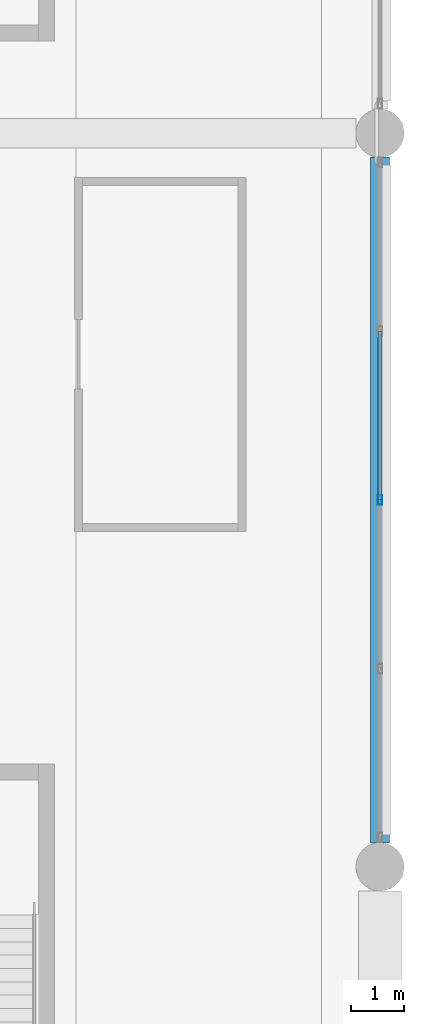
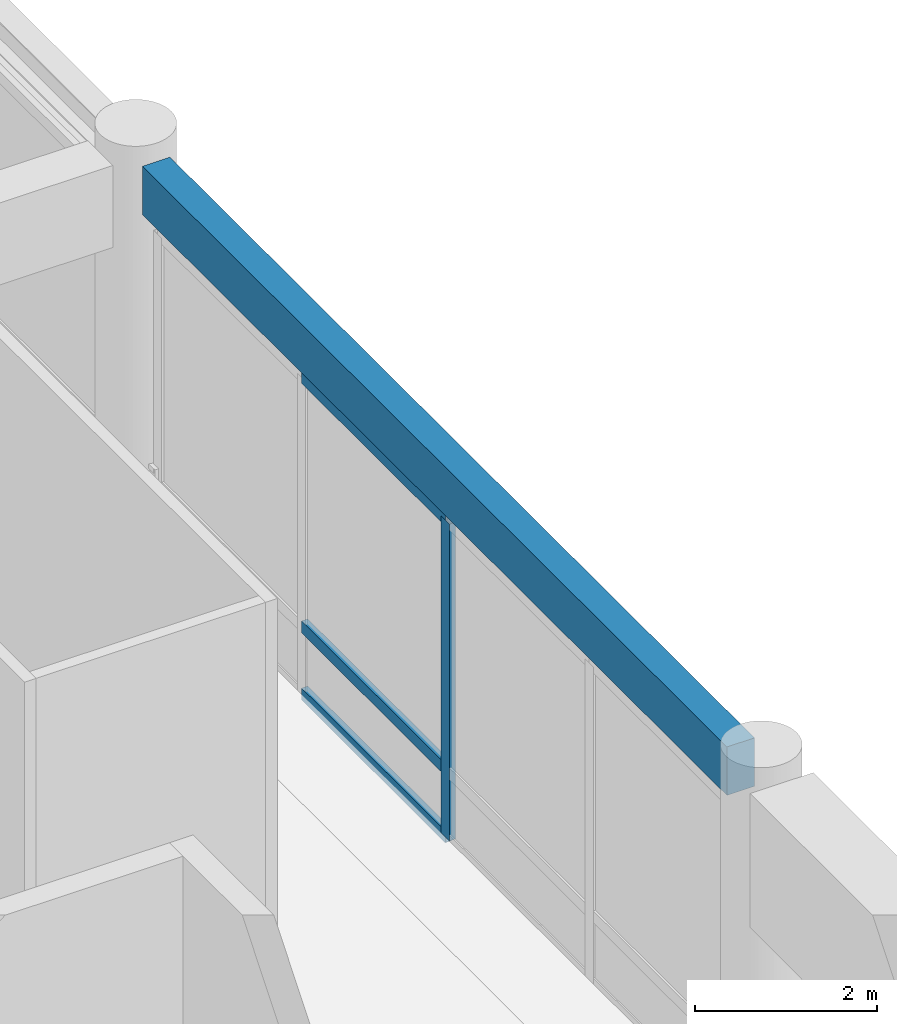
# One storey, part 56 of 117: 4 members, 1 beam, 1 element without a shape of its own.
"""IFC4 building model written with IfcOpenShell, lengths in metres."""

import ifcopenshell
import ifcopenshell.guid

model = None  # the IFC model being written
_history = None  # IfcOwnerHistory: only IFC2X3 demands one
_inside = {}  # id of a spatial element -> (the spatial element, [elements in it])
_under = {}  # id of a project, library or spatial element -> (it, [spatial elements below it])
_declared = {}  # id of a project -> (the project, [libraries it declares])
_typed = {}  # id of a type object -> (the type object, [elements of that type])
_made_of = {}  # id of a material, layer set ... -> (it, [elements and type objects made of it])


def new_model(schema):
    """Start an empty IFC model of exactly this schema.

    Asked for "IFC4X3", IfcOpenShell would pick the latest addendum, in which some entities
    have other attributes; the version numbers below select the first issue.
    IFC2X3 requires an IfcOwnerHistory on every rooted entity: one is made here for all.
    """
    global model, _history
    if schema == "IFC4X3":
        model = ifcopenshell.file(schema_version=(4, 3, 0, 0))
    else:
        model = ifcopenshell.file(schema=schema)
    _inside.clear()
    _under.clear()
    _declared.clear()
    _typed.clear()
    _made_of.clear()
    _history = None
    if model.schema == "IFC2X3":
        org = make("IfcOrganization", Name="unknown")
        user = make(
            "IfcPersonAndOrganization",
            ThePerson=make("IfcPerson", FamilyName="unknown"),
            TheOrganization=org,
        )
        app = make(
            "IfcApplication",
            ApplicationDeveloper=org,
            Version="unknown",
            ApplicationFullName="unknown",
            ApplicationIdentifier="unknown",
        )
        _history = make(
            "IfcOwnerHistory",
            OwningUser=user,
            OwningApplication=app,
            ChangeAction="ADDED",
            CreationDate=0,
        )
    return model


def make(cls, **values):
    """One entity of the class cls with the attributes given. An attribute that is None is left unset."""
    return model.create_entity(
        cls, **{name: value for name, value in values.items() if value is not None}
    )


def rooted(cls, **values):
    """An entity with a GlobalId (a new one), such as an element, a storey or a relation."""
    return make(cls, GlobalId=ifcopenshell.guid.new(), OwnerHistory=_history, **values)


def si_unit(unit_type, name, prefix=None):
    """IfcSIUnit, for example si_unit("LENGTHUNIT", "METRE", prefix="MILLI")."""
    return make("IfcSIUnit", UnitType=unit_type, Prefix=prefix, Name=name)


def assignment(units):
    """IfcUnitAssignment: the units of a project."""
    return None if units is None else make("IfcUnitAssignment", Units=units)


def point(xyz):
    """IfcCartesianPoint."""
    return None if xyz is None else make("IfcCartesianPoint", Coordinates=xyz)


def direction(xyz):
    """IfcDirection."""
    return None if xyz is None else make("IfcDirection", DirectionRatios=xyz)


def frame(location, z_axis=None, x_axis=None):
    """IfcAxis2Placement3D, a coordinate frame: its origin and axes. An axis left out is left unset."""
    return make(
        "IfcAxis2Placement3D",
        Location=point(location),
        Axis=direction(z_axis),
        RefDirection=direction(x_axis),
    )


def frame_2d(location, x_axis=None):
    """IfcAxis2Placement2D, a coordinate frame in the plane: its origin and x axis."""
    return make(
        "IfcAxis2Placement2D", Location=point(location), RefDirection=direction(x_axis)
    )


def origin():
    """The frame at (0, 0, 0) with its axes left unset."""
    return frame((0.0, 0.0, 0.0))


def origin_2d():
    """The frame at (0, 0) in the plane with its x axis left unset."""
    return frame_2d((0.0, 0.0))


def place(relative_to, where):
    """IfcLocalPlacement: puts the frame where relative to a parent placement (None: the world)."""
    return make(
        "IfcLocalPlacement", PlacementRelTo=relative_to, RelativePlacement=where
    )


def context(
    kind, dimensions, precision=None, world=None, true_north=None, identifier=None
):
    """IfcGeometricRepresentationContext, for example the 3D "Model" context."""
    return make(
        "IfcGeometricRepresentationContext",
        ContextIdentifier=identifier,
        ContextType=kind,
        CoordinateSpaceDimension=dimensions,
        Precision=precision,
        WorldCoordinateSystem=world,
        TrueNorth=true_north,
    )


def subcontext(parent, identifier, kind, view, scale=None):
    """IfcGeometricRepresentationSubContext, for example "Body" below "Model"."""
    return make(
        "IfcGeometricRepresentationSubContext",
        ContextIdentifier=identifier,
        ContextType=kind,
        ParentContext=parent,
        TargetScale=scale,
        TargetView=view,
    )


def project(units=None, contexts=None):
    """IfcProject with its units and contexts."""
    return rooted(
        "IfcProject",
        Name="project",
        RepresentationContexts=contexts,
        UnitsInContext=assignment(units),
    )


def spatial(cls, under=None, at=None, **own):
    """A site, building, storey or space (cls), placed at a placement, below another one or the project."""
    s = rooted(cls, ObjectPlacement=at, **own)
    if under is not None:
        _under.setdefault(under.id(), (under, []))[1].append(s)
    return s


def profile(cls, at=None, kind="AREA", **sizes):
    """A parametric profile (cls). Its sizes go by their IFC names, for example OverallWidth=200.0."""
    return make(cls, ProfileType=kind, Position=at, **sizes)


def rectangle(**sizes):
    """IfcRectangleProfileDef."""
    return profile("IfcRectangleProfileDef", **sizes)


def hollow_rectangle(**sizes):
    """IfcRectangleHollowProfileDef."""
    return profile("IfcRectangleHollowProfileDef", **sizes)


def extrude(swept, where, along, depth):
    """IfcExtrudedAreaSolid: the profile swept, set in the frame where, extruded along a direction by depth."""
    return make(
        "IfcExtrudedAreaSolid",
        SweptArea=swept,
        Position=where,
        ExtrudedDirection=direction(along),
        Depth=depth,
    )


def shape(context_of_items, identifier, shape_type, items):
    """IfcShapeRepresentation: the items that make up one representation, for example the "Body"."""
    return make(
        "IfcShapeRepresentation",
        ContextOfItems=context_of_items,
        RepresentationIdentifier=identifier,
        RepresentationType=shape_type,
        Items=items,
    )


def material(Name=None, Category=None):
    """IfcMaterial."""
    return make("IfcMaterial", Name=Name, Category=Category)


def material_profile(
    of_material, cross_section, Name=None, Category=None, Priority=None
):
    """IfcMaterialProfile: a cross section and its material."""
    return make(
        "IfcMaterialProfile",
        Name=Name,
        Material=of_material,
        Profile=cross_section,
        Priority=Priority,
        Category=Category,
    )


def profile_set(profiles, Name=None, composite=None):
    """IfcMaterialProfileSet."""
    return make(
        "IfcMaterialProfileSet",
        Name=Name,
        MaterialProfiles=profiles,
        CompositeProfile=composite,
    )


def made_of(thing, what):
    """Note that an element or type object is made of a material, layer set ...; save() writes the relation."""
    if what is not None:
        _made_of.setdefault(what.id(), (what, []))[1].append(thing)
    return thing


def type_object(cls, material=None, **own):
    """A type object (cls), such as IfcWallType, which elements share."""
    return made_of(rooted(cls, **own), material)


def element(
    cls,
    number,
    at=None,
    inside=None,
    cuts=None,
    type_object=None,
    material=None,
    context=None,
    identifier="Body",
    shape_type=None,
    held_by="IfcProductDefinitionShape",
    body=None,
    shapes=None,
    **own,
):
    """One element of the class cls, such as IfcWall. Its Tag is "e" and its number.

    at: its placement. inside: the storey or other place that contains it. cuts: it is an
    opening in that element (IfcRelVoidsElement). A single representation is given by context,
    identifier, shape_type and body (its items); several are given by shapes. held_by: the class
    of the entity that holds the representations. save() writes the other relations.
    """
    e = rooted(cls, Tag="e%d" % number, ObjectPlacement=at, **own)
    if body is not None:
        shapes = [shape(context, identifier, shape_type, body)]
    if shapes is not None:
        e.Representation = make(held_by, Representations=shapes)
    if inside is not None:
        _inside.setdefault(inside.id(), (inside, []))[1].append(e)
    if cuts is not None:
        rooted(
            "IfcRelVoidsElement", RelatingBuildingElement=cuts, RelatedOpeningElement=e
        )
    if type_object is not None:
        _typed.setdefault(type_object.id(), (type_object, []))[1].append(e)
    return made_of(e, material)


def aggregate(whole, parts):
    """IfcRelAggregates: a whole, such as a stair, and the parts it consists of."""
    return rooted("IfcRelAggregates", RelatingObject=whole, RelatedObjects=parts)


def save(model, path):
    """Write the relations noted so far, then the file.

    IfcRelAggregates (storeys below a building ...), IfcRelContainedInSpatialStructure (elements
    in a storey), IfcRelDefinesByType, IfcRelAssociatesMaterial and IfcRelDeclares: one each for
    every whole, place, type object, material and project.
    """
    for whole, parts in _under.values():
        aggregate(whole, parts)
    for where, things in _inside.values():
        rooted(
            "IfcRelContainedInSpatialStructure",
            RelatedElements=things,
            RelatingStructure=where,
        )
    for kind, things in _typed.values():
        rooted("IfcRelDefinesByType", RelatedObjects=things, RelatingType=kind)
    for what, things in _made_of.values():
        rooted("IfcRelAssociatesMaterial", RelatedObjects=things, RelatingMaterial=what)
    for by, libraries in _declared.values():
        rooted("IfcRelDeclares", RelatingContext=by, RelatedDefinitions=libraries)
    model.write(path)


model = new_model("IFC4")

# Units and contexts
model_context = context("Model", 3, precision=1e-05, world=origin(), true_north=direction((0.0, 1.0)))
body_context = subcontext(model_context, "Body", "Model", "MODEL_VIEW")
ifc_project = project(units=[si_unit("LENGTHUNIT", "METRE"), si_unit("AREAUNIT", "SQUARE_METRE"), si_unit("VOLUMEUNIT", "CUBIC_METRE"), si_unit("PLANEANGLEUNIT", "RADIAN"), si_unit("MASSUNIT", "GRAM", prefix="KILO")], contexts=[model_context])

# Site, building, storey
site_placement = place(None, origin())
site = spatial("IfcSite", under=ifc_project, at=site_placement, CompositionType="ELEMENT")
building_placement = place(site_placement, origin())
building = spatial("IfcBuilding", under=site, at=building_placement, Name="Linyun Crest Stadium", CompositionType="ELEMENT")
storey_placement = place(building_placement, frame((0.0, 0.0, 6.0)))
storey = spatial("IfcBuildingStorey", under=building, at=storey_placement, Name="L02", CompositionType="ELEMENT", Elevation=6.0)

# Beam
ifc_material_1 = material(Name="Concrete C40", Category="concrete")
ifc_material_profile_1 = material_profile(ifc_material_1, rectangle(XDim=0.35009765625, YDim=0.64990234375, at=origin_2d()), Name="RCB 650x350")
ifc_profile_set_1 = profile_set([ifc_material_profile_1], Name="Concrete C40")
beam_type = type_object("IfcBeamType", Name="B02", PredefinedType="BEAM", material=ifc_profile_set_1)
beam_placement = place(storey_placement, frame((98.0, -38.675048828125, 4.824951171875), z_axis=(0.0, 1.0, 0.0), x_axis=(-1.0, 0.0, 0.0)))
element("IfcBeam", 1, at=beam_placement, inside=storey, type_object=beam_type, Name="Frame beam B02 L02 600", PredefinedType="BEAM", context=body_context, shape_type="SweptSolid", body=[
    extrude(rectangle(XDim=0.35009765625, YDim=0.64990234375, at=origin_2d()), origin(), (0.0, 0.0, 1.0), 12.85009765625),
])

# Curtain wall, members
ifc_material_2 = material(Name="Verdigris steel and low-E curtain wall assembly", Category="steel")
curtain_wall_type = type_object("IfcCurtainWallType", Name="MCW01", PredefinedType="NOTDEFINED", material=ifc_material_2)
curtain_wall_placement = place(storey_placement, origin())
curtain_wall = element("IfcCurtainWall", 2, at=curtain_wall_placement, inside=storey, type_object=curtain_wall_type, Name="CWR-078", PredefinedType="NOTDEFINED")
ifc_material_3 = material(Name="Verdigris painted steel Q355B mullion", Category="steel")
ifc_material_profile_2 = material_profile(ifc_material_3, hollow_rectangle(XDim=0.080078125, YDim=0.179931640625, WallThickness=0.006103515625, at=origin_2d()), Name="RHS 180x80x6")
ifc_profile_set_2 = profile_set([ifc_material_profile_2], Name="Verdigris painted steel Q355B mullion")
member_type_1 = type_object("IfcMemberType", Name="ML02", PredefinedType="MULLION", material=ifc_profile_set_2)
member_1_placement = place(storey_placement, frame((98.0, -32.25, 0.0), z_axis=(0.0, 0.0, 1.0), x_axis=(-1.0, 0.0, 0.0)))
member_1 = element("IfcMember", 3, at=member_1_placement, type_object=member_type_1, Name="CWR-078 mullion 3", PredefinedType="MULLION", context=body_context, shape_type="SweptSolid", body=[
    extrude(hollow_rectangle(XDim=0.080078125, YDim=0.179931640625, WallThickness=0.006103515625, at=origin_2d()), origin(), (0.0, 0.0, 1.0), 4.25),
])
ifc_material_4 = material(Name="Aluminium thermally broken transom", Category="aluminium")
ifc_material_profile_3 = material_profile(ifc_material_4, hollow_rectangle(XDim=0.080078125, YDim=0.159912109375, WallThickness=0.006103515625, at=origin_2d()), Name="RHS 160x80x6")
ifc_profile_set_3 = profile_set([ifc_material_profile_3], Name="Aluminium thermally broken transom")
member_type_2 = type_object("IfcMemberType", Name="TR01", PredefinedType="USERDEFINED", material=ifc_profile_set_3)
member_2_placement = place(storey_placement, frame((98.0, -32.25, 0.0), z_axis=(0.0, 1.0, 0.0), x_axis=(-1.0, 0.0, 0.0)))
member_2 = element("IfcMember", 4, at=member_2_placement, type_object=member_type_2, Name="CWR-078 transom 3.1", ObjectType="TRANSOM", PredefinedType="USERDEFINED", context=body_context, shape_type="SweptSolid", body=[
    extrude(hollow_rectangle(XDim=0.080078125, YDim=0.159912109375, WallThickness=0.006103515625, at=origin_2d()), origin(), (0.0, 0.0, 1.0), 3.162109375),
])
member_3_placement = place(storey_placement, frame((98.0, -32.25, 0.89990234375), z_axis=(0.0, 1.0, 0.0), x_axis=(-1.0, 0.0, 0.0)))
member_3 = element("IfcMember", 5, at=member_3_placement, type_object=member_type_2, Name="CWR-078 transom 3.2", ObjectType="TRANSOM", PredefinedType="USERDEFINED", context=body_context, shape_type="SweptSolid", body=[
    extrude(hollow_rectangle(XDim=0.080078125, YDim=0.159912109375, WallThickness=0.006103515625, at=origin_2d()), origin(), (0.0, 0.0, 1.0), 3.162109375),
])
member_4_placement = place(storey_placement, frame((98.0, -32.25, 4.25), z_axis=(0.0, 1.0, 0.0), x_axis=(-1.0, 0.0, 0.0)))
member_4 = element("IfcMember", 6, at=member_4_placement, type_object=member_type_2, Name="CWR-078 transom 3.3", ObjectType="TRANSOM", PredefinedType="USERDEFINED", context=body_context, shape_type="SweptSolid", body=[
    extrude(hollow_rectangle(XDim=0.080078125, YDim=0.159912109375, WallThickness=0.006103515625, at=origin_2d()), origin(), (0.0, 0.0, 1.0), 3.162109375),
])
aggregate(curtain_wall, [member_1, member_2, member_3, member_4])

save(model, "model.ifc")
